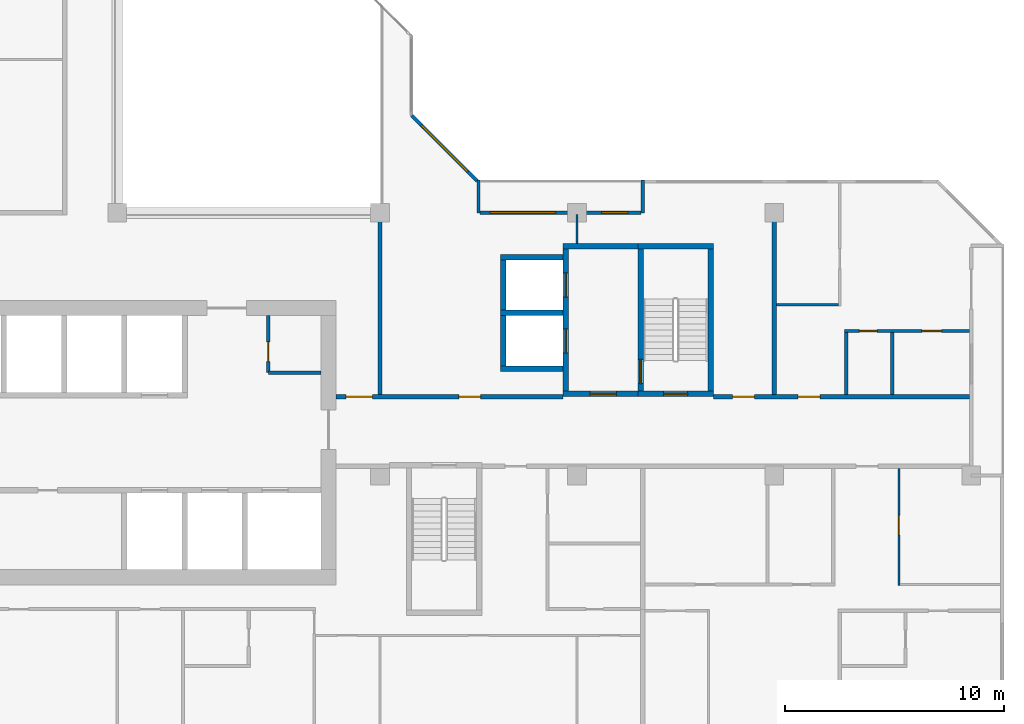
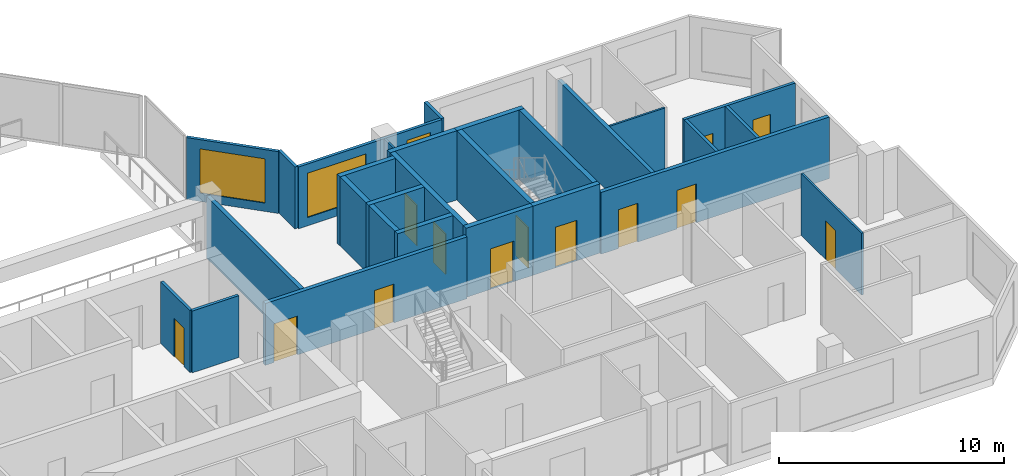
# One storey, part 7 of 15: 28 walls, 13 doors, 3 windows, 16 openings.
"""IFC4 building model written with IfcOpenShell, lengths in metres."""

from ifc_helpers import new_model, si_unit, direction, frame, frame_2d, origin, place, context, subcontext, project, spatial, rectangle, extrude, material, layer, layer_set, type_object, element, fill, save


model = new_model("IFC4")

# Units and contexts
model_context = context("Model", 3, precision=1e-05, world=origin(), true_north=direction((0.0, 1.0)))
body_context = subcontext(model_context, "Body", "Model", "MODEL_VIEW")
ifc_project = project(units=[si_unit("LENGTHUNIT", "METRE"), si_unit("AREAUNIT", "SQUARE_METRE"), si_unit("VOLUMEUNIT", "CUBIC_METRE"), si_unit("PLANEANGLEUNIT", "RADIAN"), si_unit("MASSUNIT", "GRAM", prefix="KILO")], contexts=[model_context])

# Site, building, storey
site_placement = place(None, origin())
site = spatial("IfcSite", under=ifc_project, at=site_placement, CompositionType="ELEMENT")
building_placement = place(site_placement, origin())
building = spatial("IfcBuilding", under=site, at=building_placement, Name="Chenar Terraces", CompositionType="ELEMENT")
storey_placement = place(building_placement, frame((0.0, 0.0, 215.39990234375)))
storey = spatial("IfcBuildingStorey", under=building, at=storey_placement, Name="L50", CompositionType="ELEMENT", Elevation=215.39990234375)

# Wall, opening, door
ifc_material_1 = material(Name="Gypsum board on steel studs", Category="steel")
ifc_layer_1 = layer(ifc_material_1, 0.14990234375)
ifc_layer_set_1 = layer_set([ifc_layer_1], Name="Gypsum board on steel studs")
wall_type_1 = type_object("IfcWallType", Name="Core partition 150 gypsum board", PredefinedType="PARTITIONING", material=ifc_layer_set_1)
wall_1_placement = place(storey_placement, frame((30.89990234375, 16.699951171875, 0.0), z_axis=(0.0, 0.0, 1.0), x_axis=(0.0, 1.0, 0.0)))
wall_1 = element("IfcWall", 1, at=wall_1_placement, inside=storey, type_object=wall_type_1, Name="Core partition CP1 vestibule room west wall", PredefinedType="PARTITIONING", context=body_context, shape_type="SweptSolid", body=[
    extrude(rectangle(XDim=2.60009765625, YDim=0.14990234375, at=frame_2d((1.300048828125, 0.0))), origin(), (0.0, 0.0, 1.0), 3.35009765625),
])
opening_1_placement = place(wall_1_placement, frame((0.5, 0.0, 0.0)))
opening_1 = element("IfcOpeningElement", 2, at=opening_1_placement, cuts=wall_1, Name="Opening DL50-C14", PredefinedType="OPENING", context=body_context, shape_type="SweptSolid", body=[
    extrude(rectangle(XDim=0.89990234375, YDim=2.10009765625, at=frame_2d((0.449951171875, 1.050048828125))), frame((0.0, 0.0849609375, 0.0), z_axis=(0.0, -1.0, 0.0), x_axis=(1.0, 0.0, 0.0)), (0.0, 0.0, 1.0), 0.169921875),
])
ifc_material_2 = material(Name="Steel-framed fire-resisting door leaf", Category="steel")
door_type_1 = type_object("IfcDoorType", Name="Riser fire door FD60 900 x 2100", OperationType="SINGLE_SWING_LEFT", PredefinedType="DOOR", material=ifc_material_2)
door_1_placement = place(opening_1_placement, frame((0.89990234375, 0.0, 0.0), z_axis=(0.0, 0.0, 1.0), x_axis=(-1.0, 0.0, 0.0)))
door_1 = element("IfcDoor", 3, at=door_1_placement, inside=storey, type_object=door_type_1, Name="Core room door DL50-C14", OperationType="SINGLE_SWING_RIGHT", OverallHeight=2.10009765625, OverallWidth=0.89990234375, PredefinedType="DOOR", context=body_context, shape_type="SweptSolid", body=[
    extrude(rectangle(XDim=0.89990234375, YDim=2.10009765625, at=frame_2d((0.449951171875, 1.050048828125))), frame((0.0, 0.02490234375, 0.0), z_axis=(0.0, -1.0, 0.0), x_axis=(1.0, 0.0, 0.0)), (0.0, 0.0, 1.0), 0.050048828125),
])
fill(opening_1, door_1)

# Wall
wall_2_placement = place(storey_placement, frame((30.89990234375, 16.699951171875, 0.0), z_axis=(0.0, 0.0, 1.0), x_axis=(1.0, 0.0, 0.0)))
element("IfcWall", 4, at=wall_2_placement, inside=storey, type_object=wall_type_1, Name="Core partition CP1 vestibule room south wall", PredefinedType="PARTITIONING", context=body_context, shape_type="SweptSolid", body=[
    extrude(rectangle(XDim=2.400146484375, YDim=0.14990234375, at=frame_2d((1.2001953125, 0.0))), origin(), (0.0, 0.0, 1.0), 3.35009765625),
])

# Wall, opening, door
ifc_material_3 = material(Name="Concrete C60/75", Category="concrete")
ifc_layer_2 = layer(ifc_material_3, 0.25)
ifc_layer_set_2 = layer_set([ifc_layer_2], Name="Concrete C60/75")
wall_type_2 = type_object("IfcWallType", Name="Core wall 250 Concrete C60/75", PredefinedType="SHEAR", material=ifc_layer_set_2)
wall_3_placement = place(storey_placement, frame((47.77490234375, 15.72509765625, 0.0), z_axis=(0.0, 0.0, 1.0), x_axis=(1.0, 0.0, 0.0)))
wall_3 = element("IfcWall", 5, at=wall_3_placement, inside=storey, type_object=wall_type_2, Name="Core wall ST3_S L50", PredefinedType="SHEAR", context=body_context, shape_type="SweptSolid", body=[
    extrude(rectangle(XDim=3.4501953125, YDim=0.25, at=frame_2d((1.72509765625, 0.0))), origin(), (0.0, 0.0, 1.0), 3.75),
])
opening_2_placement = place(wall_3_placement, frame((1.175048828125, 0.0, 0.0)))
opening_2 = element("IfcOpeningElement", 6, at=opening_2_placement, cuts=wall_3, Name="Opening DL50-C8", PredefinedType="OPENING", context=body_context, shape_type="SweptSolid", body=[
    extrude(rectangle(XDim=1.10009765625, YDim=2.199951171875, at=frame_2d((0.550048828125, 1.10009765625))), frame((0.0, 0.135009765625, 0.0), z_axis=(0.0, -1.0, 0.0), x_axis=(1.0, 0.0, 0.0)), (0.0, 0.0, 1.0), 0.27001953125),
])
ifc_material_4 = material(Name="Steel-framed fire-resisting door leaf", Category="steel")
door_type_2 = type_object("IfcDoorType", Name="Stair fire door FD60 1100 x 2200", OperationType="SINGLE_SWING_LEFT", PredefinedType="DOOR", material=ifc_material_4)
door_2_placement = place(opening_2_placement, frame((1.10009765625, 0.0, 0.0), z_axis=(0.0, 0.0, 1.0), x_axis=(-1.0, 0.0, 0.0)))
door_2 = element("IfcDoor", 7, at=door_2_placement, inside=storey, type_object=door_type_2, Name="Stair door DL50-C8", OperationType="SINGLE_SWING_LEFT", OverallHeight=2.199951171875, OverallWidth=1.10009765625, PredefinedType="DOOR", context=body_context, shape_type="SweptSolid", body=[
    extrude(rectangle(XDim=1.10009765625, YDim=2.199951171875, at=frame_2d((0.550048828125, 1.10009765625))), frame((0.0, 0.02490234375, 0.0), z_axis=(0.0, -1.0, 0.0), x_axis=(1.0, 0.0, 0.0)), (0.0, 0.0, 1.0), 0.050048828125),
])
fill(opening_2, door_2)

# Wall
wall_4_placement = place(storey_placement, frame((47.77490234375, 22.47509765625, 0.0), z_axis=(0.0, 0.0, 1.0), x_axis=(1.0, 0.0, 0.0)))
element("IfcWall", 8, at=wall_4_placement, inside=storey, type_object=wall_type_2, Name="Core wall ST3_N L50", PredefinedType="SHEAR", context=body_context, shape_type="SweptSolid", body=[
    extrude(rectangle(XDim=3.4501953125, YDim=0.25, at=frame_2d((1.72509765625, 0.0))), origin(), (0.0, 0.0, 1.0), 3.75),
])

# Wall, opening, door
wall_5_placement = place(storey_placement, frame((47.89990234375, 15.85009765625, 0.0), z_axis=(0.0, 0.0, 1.0), x_axis=(0.0, 1.0, 0.0)))
wall_5 = element("IfcWall", 9, at=wall_5_placement, inside=storey, type_object=wall_type_2, Name="Core wall ST3_W L50", PredefinedType="SHEAR", context=body_context, shape_type="SweptSolid", body=[
    extrude(rectangle(XDim=6.5, YDim=0.25, at=frame_2d((3.25, 0.0))), origin(), (0.0, 0.0, 1.0), 3.75),
])
opening_3_placement = place(wall_5_placement, frame((0.35009765625, 0.0, 0.0)))
opening_3 = element("IfcOpeningElement", 10, at=opening_3_placement, cuts=wall_5, Name="Opening DL50-C11", PredefinedType="OPENING", context=body_context, shape_type="SweptSolid", body=[
    extrude(rectangle(XDim=1.10009765625, YDim=2.199951171875, at=frame_2d((0.550048828125, 1.10009765625))), frame((0.0, 0.135009765625, 0.0), z_axis=(0.0, -1.0, 0.0), x_axis=(1.0, 0.0, 0.0)), (0.0, 0.0, 1.0), 0.27001953125),
])
door_3_placement = place(opening_3_placement, frame((1.10009765625, 0.0, 0.0), z_axis=(0.0, 0.0, 1.0), x_axis=(-1.0, 0.0, 0.0)))
door_3 = element("IfcDoor", 11, at=door_3_placement, inside=storey, type_object=door_type_2, Name="Stair door DL50-C11", OperationType="SINGLE_SWING_RIGHT", OverallHeight=2.199951171875, OverallWidth=1.10009765625, PredefinedType="DOOR", context=body_context, shape_type="SweptSolid", body=[
    extrude(rectangle(XDim=1.10009765625, YDim=2.199951171875, at=frame_2d((0.550048828125, 1.10009765625))), frame((0.0, 0.02490234375, 0.0), z_axis=(0.0, -1.0, 0.0), x_axis=(1.0, 0.0, 0.0)), (0.0, 0.0, 1.0), 0.050048828125),
])
fill(opening_3, door_3)

# Wall
wall_6_placement = place(storey_placement, frame((51.10009765625, 15.85009765625, 0.0), z_axis=(0.0, 0.0, 1.0), x_axis=(0.0, 1.0, 0.0)))
element("IfcWall", 12, at=wall_6_placement, inside=storey, type_object=wall_type_2, Name="Core wall ST3_E L50", PredefinedType="SHEAR", context=body_context, shape_type="SweptSolid", body=[
    extrude(rectangle(XDim=6.5, YDim=0.25, at=frame_2d((3.25, 0.0))), origin(), (0.0, 0.0, 1.0), 3.75),
])

# Wall, opening, door
wall_7_placement = place(storey_placement, frame((44.35009765625, 15.72509765625, 0.0), z_axis=(0.0, 0.0, 1.0), x_axis=(1.0, 0.0, 0.0)))
wall_7 = element("IfcWall", 13, at=wall_7_placement, inside=storey, type_object=wall_type_2, Name="Core wall F3_LS L50", PredefinedType="SHEAR", context=body_context, shape_type="SweptSolid", body=[
    extrude(rectangle(XDim=3.4248046875, YDim=0.25, at=frame_2d((1.71240234375, 0.0))), origin(), (0.0, 0.0, 1.0), 3.75),
])
opening_4_placement = place(wall_7_placement, frame((1.25, 0.0, 0.0)))
opening_4 = element("IfcOpeningElement", 14, at=opening_4_placement, cuts=wall_7, Name="Opening DL50-C10", PredefinedType="OPENING", context=body_context, shape_type="SweptSolid", body=[
    extrude(rectangle(XDim=1.199951171875, YDim=2.199951171875, at=frame_2d((0.60009765625, 1.10009765625))), frame((0.0, 0.135009765625, 0.0), z_axis=(0.0, -1.0, 0.0), x_axis=(1.0, 0.0, 0.0)), (0.0, 0.0, 1.0), 0.27001953125),
])
ifc_material_5 = material(Name="Steel-framed fire-resisting door leaf", Category="steel")
door_type_3 = type_object("IfcDoorType", Name="Lobby fire door FD60 1200 x 2200", OperationType="SINGLE_SWING_LEFT", PredefinedType="DOOR", material=ifc_material_5)
door_4_placement = place(opening_4_placement, origin())
door_4 = element("IfcDoor", 15, at=door_4_placement, inside=storey, type_object=door_type_3, Name="Core door DL50-C10", OperationType="SINGLE_SWING_RIGHT", OverallHeight=2.199951171875, OverallWidth=1.199951171875, PredefinedType="DOOR", context=body_context, shape_type="SweptSolid", body=[
    extrude(rectangle(XDim=1.199951171875, YDim=2.199951171875, at=frame_2d((0.60009765625, 1.10009765625))), frame((0.0, 0.02490234375, 0.0), z_axis=(0.0, -1.0, 0.0), x_axis=(1.0, 0.0, 0.0)), (0.0, 0.0, 1.0), 0.050048828125),
])
fill(opening_4, door_4)

# Wall
wall_8_placement = place(storey_placement, frame((44.35009765625, 22.47509765625, 0.0), z_axis=(0.0, 0.0, 1.0), x_axis=(1.0, 0.0, 0.0)))
element("IfcWall", 16, at=wall_8_placement, inside=storey, type_object=wall_type_2, Name="Core wall F3_LN L50", PredefinedType="SHEAR", context=body_context, shape_type="SweptSolid", body=[
    extrude(rectangle(XDim=3.4248046875, YDim=0.25, at=frame_2d((1.71240234375, 0.0))), origin(), (0.0, 0.0, 1.0), 3.75),
])

# Wall, openings, doors
wall_9_placement = place(storey_placement, frame((44.47509765625, 15.85009765625, 0.0), z_axis=(0.0, 0.0, 1.0), x_axis=(0.0, 1.0, 0.0)))
wall_9 = element("IfcWall", 17, at=wall_9_placement, inside=storey, type_object=wall_type_2, Name="Core wall F3_LW L50", PredefinedType="SHEAR", context=body_context, shape_type="SweptSolid", body=[
    extrude(rectangle(XDim=6.5, YDim=0.25, at=frame_2d((3.25, 0.0))), origin(), (0.0, 0.0, 1.0), 3.75),
])
opening_5_placement = place(wall_9_placement, frame((1.75, 0.0, 0.0)))
opening_5 = element("IfcOpeningElement", 18, at=opening_5_placement, cuts=wall_9, Name="Opening DL50-LD8", PredefinedType="OPENING", context=body_context, shape_type="SweptSolid", body=[
    extrude(rectangle(XDim=1.10009765625, YDim=2.199951171875, at=frame_2d((0.550048828125, 1.10009765625))), frame((0.0, 0.135009765625, 0.0), z_axis=(0.0, -1.0, 0.0), x_axis=(1.0, 0.0, 0.0)), (0.0, 0.0, 1.0), 0.27001953125),
])
opening_6_placement = place(wall_9_placement, frame((4.300048828125, 0.0, 0.0)))
opening_6 = element("IfcOpeningElement", 19, at=opening_6_placement, cuts=wall_9, Name="Opening DL50-LD9", PredefinedType="OPENING", context=body_context, shape_type="SweptSolid", body=[
    extrude(rectangle(XDim=1.10009765625, YDim=2.199951171875, at=frame_2d((0.550048828125, 1.10009765625))), frame((0.0, 0.135009765625, 0.0), z_axis=(0.0, -1.0, 0.0), x_axis=(1.0, 0.0, 0.0)), (0.0, 0.0, 1.0), 0.27001953125),
])
ifc_material_6 = material(Name="Stainless steel", Category="steel")
door_type_4 = type_object("IfcDoorType", Name="Lift landing door 1100 x 2200 sliding", OperationType="DOUBLE_DOOR_SLIDING", PredefinedType="DOOR", material=ifc_material_6)
door_5_placement = place(opening_5_placement, origin())
door_5 = element("IfcDoor", 20, at=door_5_placement, inside=storey, type_object=door_type_4, Name="Landing door F3", OperationType="DOUBLE_DOOR_SLIDING", OverallHeight=2.199951171875, OverallWidth=1.10009765625, PredefinedType="DOOR", context=body_context, shape_type="SweptSolid", body=[
    extrude(rectangle(XDim=1.10009765625, YDim=2.199951171875, at=frame_2d((0.550048828125, 1.10009765625))), frame((0.0, 0.02490234375, 0.0), z_axis=(0.0, -1.0, 0.0), x_axis=(1.0, 0.0, 0.0)), (0.0, 0.0, 1.0), 0.050048828125),
])
fill(opening_5, door_5)
door_6_placement = place(opening_6_placement, origin())
door_6 = element("IfcDoor", 21, at=door_6_placement, inside=storey, type_object=door_type_4, Name="Landing door F4", OperationType="DOUBLE_DOOR_SLIDING", OverallHeight=2.199951171875, OverallWidth=1.10009765625, PredefinedType="DOOR", context=body_context, shape_type="SweptSolid", body=[
    extrude(rectangle(XDim=1.10009765625, YDim=2.199951171875, at=frame_2d((0.550048828125, 1.10009765625))), frame((0.0, 0.02490234375, 0.0), z_axis=(0.0, -1.0, 0.0), x_axis=(1.0, 0.0, 0.0)), (0.0, 0.0, 1.0), 0.050048828125),
])
fill(opening_6, door_6)

# Walls
for number, where, z_axis, x_axis, name in (
    (22, (41.5, 16.875, 0.0), (0.0, 0.0, 1.0), (1.0, 0.0, 0.0), "Core wall F3_SS L50"),
    (23, (41.5, 19.425048828125, 0.0), (0.0, 0.0, 1.0), (1.0, 0.0, 0.0), "Core wall F3_SM L50"),
    (24, (41.5, 21.97509765625, 0.0), (0.0, 0.0, 1.0), (1.0, 0.0, 0.0), "Core wall F4_SN L50"),
):
    element("IfcWall", number, at=place(storey_placement, frame(where, z_axis=z_axis, x_axis=x_axis)), inside=storey, type_object=wall_type_2, Name=name, PredefinedType="SHEAR", context=body_context, shape_type="SweptSolid", body=[
        extrude(rectangle(XDim=2.85009765625, YDim=0.25, at=frame_2d((1.425048828125, 0.0))), origin(), (0.0, 0.0, 1.0), 3.75),
    ])
for number, where, z_axis, x_axis, name in (
    (25, (41.625, 17.0, 0.0), (0.0, 0.0, 1.0), (0.0, 1.0, 0.0), "Core wall F3_SW L50"),
    (26, (41.625, 19.550048828125, 0.0), (0.0, 0.0, 1.0), (0.0, 1.0, 0.0), "Core wall F4_SW L50"),
):
    element("IfcWall", number, at=place(storey_placement, frame(where, z_axis=z_axis, x_axis=x_axis)), inside=storey, type_object=wall_type_2, Name=name, PredefinedType="SHEAR", context=body_context, shape_type="SweptSolid", body=[
        extrude(rectangle(XDim=2.300048828125, YDim=0.25, at=frame_2d((1.14990234375, 0.0))), origin(), (0.0, 0.0, 1.0), 3.75),
    ])

# Wall, openings, doors
ifc_material_7 = material(Name="Gypsum board on steel studs with fire boards", Category="steel")
ifc_layer_3 = layer(ifc_material_7, 0.199951171875)
ifc_layer_set_3 = layer_set([ifc_layer_3], Name="Gypsum board on steel studs with fire boards")
wall_type_3 = type_object("IfcWallType", Name="Corridor wall 200", PredefinedType="PARTITIONING", material=ifc_layer_set_3)
wall_10_placement = place(storey_placement, frame((34.0, 15.60009765625, 0.0), z_axis=(0.0, 0.0, 1.0), x_axis=(1.0, 0.0, 0.0)))
wall_10 = element("IfcWall", 27, at=wall_10_placement, inside=storey, type_object=wall_type_3, Name="Partition L50-060", PredefinedType="PARTITIONING", context=body_context, shape_type="SweptSolid", body=[
    extrude(rectangle(XDim=10.35009765625, YDim=0.199951171875, at=frame_2d((5.175048828125, 0.0))), origin(), (0.0, 0.0, 1.0), 3.35009765625),
])
opening_7_placement = place(wall_10_placement, frame((5.60009765625, 0.0, 0.0)))
opening_7 = element("IfcOpeningElement", 28, at=opening_7_placement, cuts=wall_10, Name="Opening DL50-3", PredefinedType="OPENING", context=body_context, shape_type="SweptSolid", body=[
    extrude(rectangle(XDim=1.0, YDim=2.10009765625, at=frame_2d((0.5, 1.050048828125))), frame((0.0, 0.10986328125, 0.0), z_axis=(0.0, -1.0, 0.0), x_axis=(1.0, 0.0, 0.0)), (0.0, 0.0, 1.0), 0.219970703125),
])
opening_8_placement = place(wall_10_placement, frame((0.449951171875, 0.0, 0.0)))
opening_8 = element("IfcOpeningElement", 29, at=opening_8_placement, cuts=wall_10, Name="Opening DL50-38", PredefinedType="OPENING", context=body_context, shape_type="SweptSolid", body=[
    extrude(rectangle(XDim=1.199951171875, YDim=2.10009765625, at=frame_2d((0.60009765625, 1.050048828125))), frame((0.0, 0.10986328125, 0.0), z_axis=(0.0, -1.0, 0.0), x_axis=(1.0, 0.0, 0.0)), (0.0, 0.0, 1.0), 0.219970703125),
])
ifc_material_8 = material(Name="Steel-framed fire-resisting door leaf", Category="steel")
door_type_5 = type_object("IfcDoorType", Name="Fire door FD60 1000 x 2100", OperationType="SINGLE_SWING_LEFT", PredefinedType="DOOR", material=ifc_material_8)
door_7_placement = place(opening_7_placement, origin())
door_7 = element("IfcDoor", 30, at=door_7_placement, inside=storey, type_object=door_type_5, Name="Door DL50-3", OperationType="SINGLE_SWING_RIGHT", OverallHeight=2.10009765625, OverallWidth=1.0, PredefinedType="DOOR", context=body_context, shape_type="SweptSolid", body=[
    extrude(rectangle(XDim=1.0, YDim=2.10009765625, at=frame_2d((0.5, 1.050048828125))), frame((0.0, 0.02490234375, 0.0), z_axis=(0.0, -1.0, 0.0), x_axis=(1.0, 0.0, 0.0)), (0.0, 0.0, 1.0), 0.050048828125),
])
fill(opening_7, door_7)
ifc_material_9 = material(Name="Steel-framed fire-resisting door leaf", Category="steel")
door_type_6 = type_object("IfcDoorType", Name="Fire door FD60 1200 x 2100", OperationType="SINGLE_SWING_LEFT", PredefinedType="DOOR", material=ifc_material_9)
door_8_placement = place(opening_8_placement, origin())
door_8 = element("IfcDoor", 31, at=door_8_placement, inside=storey, type_object=door_type_6, Name="Door DL50-38", OperationType="SINGLE_SWING_RIGHT", OverallHeight=2.10009765625, OverallWidth=1.199951171875, PredefinedType="DOOR", context=body_context, shape_type="SweptSolid", body=[
    extrude(rectangle(XDim=1.199951171875, YDim=2.10009765625, at=frame_2d((0.60009765625, 1.050048828125))), frame((0.0, 0.02490234375, 0.0), z_axis=(0.0, -1.0, 0.0), x_axis=(1.0, 0.0, 0.0)), (0.0, 0.0, 1.0), 0.050048828125),
])
fill(opening_8, door_8)

# Wall
wall_11_placement = place(storey_placement, frame((36.0, 15.699951171875, 0.0), z_axis=(0.0, 0.0, 1.0), x_axis=(0.0, 1.0, 0.0)))
element("IfcWall", 32, at=wall_11_placement, inside=storey, type_object=wall_type_3, Name="Partition L50-062", PredefinedType="PARTITIONING", context=body_context, shape_type="SweptSolid", body=[
    extrude(rectangle(XDim=8.300048828125, YDim=0.199951171875, at=frame_2d((4.14990234375, 0.0))), origin(), (0.0, 0.0, 1.0), 3.35009765625),
])

# Wall, openings, doors
wall_12_placement = place(storey_placement, frame((51.22509765625, 15.60009765625, 0.0), z_axis=(0.0, 0.0, 1.0), x_axis=(1.0, 0.0, 0.0)))
wall_12 = element("IfcWall", 33, at=wall_12_placement, inside=storey, type_object=wall_type_3, Name="Partition L50-074", PredefinedType="PARTITIONING", context=body_context, shape_type="SweptSolid", body=[
    extrude(rectangle(XDim=11.700927734375, YDim=0.199951171875, at=frame_2d((5.8505859375, 0.0))), origin(), (0.0, 0.0, 1.0), 3.35009765625),
])
opening_9_placement = place(wall_12_placement, frame((3.875, 0.0, 0.0)))
opening_9 = element("IfcOpeningElement", 34, at=opening_9_placement, cuts=wall_12, Name="Opening DL50-7", PredefinedType="OPENING", context=body_context, shape_type="SweptSolid", body=[
    extrude(rectangle(XDim=1.0, YDim=2.10009765625, at=frame_2d((0.5, 1.050048828125))), frame((0.0, 0.10986328125, 0.0), z_axis=(0.0, -1.0, 0.0), x_axis=(1.0, 0.0, 0.0)), (0.0, 0.0, 1.0), 0.219970703125),
])
opening_10_placement = place(wall_12_placement, frame((0.875, 0.0, 0.0)))
opening_10 = element("IfcOpeningElement", 35, at=opening_10_placement, cuts=wall_12, Name="Opening DL50-42", PredefinedType="OPENING", context=body_context, shape_type="SweptSolid", body=[
    extrude(rectangle(XDim=1.0, YDim=2.10009765625, at=frame_2d((0.5, 1.050048828125))), frame((0.0, 0.10986328125, 0.0), z_axis=(0.0, -1.0, 0.0), x_axis=(1.0, 0.0, 0.0)), (0.0, 0.0, 1.0), 0.219970703125),
])
ifc_material_10 = material(Name="Steel-framed fire-resisting door leaf", Category="steel")
door_type_7 = type_object("IfcDoorType", Name="Fire door FD30S 1000 x 2100", OperationType="SINGLE_SWING_LEFT", PredefinedType="DOOR", material=ifc_material_10)
door_9_placement = place(opening_9_placement, origin())
door_9 = element("IfcDoor", 36, at=door_9_placement, inside=storey, type_object=door_type_7, Name="Door DL50-7", OperationType="SINGLE_SWING_LEFT", OverallHeight=2.10009765625, OverallWidth=1.0, PredefinedType="DOOR", context=body_context, shape_type="SweptSolid", body=[
    extrude(rectangle(XDim=1.0, YDim=2.10009765625, at=frame_2d((0.5, 1.050048828125))), frame((0.0, 0.02490234375, 0.0), z_axis=(0.0, -1.0, 0.0), x_axis=(1.0, 0.0, 0.0)), (0.0, 0.0, 1.0), 0.050048828125),
])
fill(opening_9, door_9)
door_10_placement = place(opening_10_placement, origin())
door_10 = element("IfcDoor", 37, at=door_10_placement, inside=storey, type_object=door_type_7, Name="Door DL50-42", OperationType="SINGLE_SWING_RIGHT", OverallHeight=2.10009765625, OverallWidth=1.0, PredefinedType="DOOR", context=body_context, shape_type="SweptSolid", body=[
    extrude(rectangle(XDim=1.0, YDim=2.10009765625, at=frame_2d((0.5, 1.050048828125))), frame((0.0, 0.02490234375, 0.0), z_axis=(0.0, -1.0, 0.0), x_axis=(1.0, 0.0, 0.0)), (0.0, 0.0, 1.0), 0.050048828125),
])
fill(opening_10, door_10)

# Wall, openings, windows
ifc_material_11 = material(Name="Aluminium framed glazing", Category="aluminium")
ifc_layer_4 = layer(ifc_material_11, 0.14990234375)
ifc_layer_set_4 = layer_set([ifc_layer_4], Name="Aluminium framed glazing")
wall_type_4 = type_object("IfcWallType", Name="Glazed loggia back wall 150", PredefinedType="SOLIDWALL", material=ifc_layer_set_4)
wall_13_placement = place(storey_placement, frame((47.925048828125, 24.0, 0.0), z_axis=(0.0, 0.0, 1.0), x_axis=(-1.0, 0.0, 0.0)))
wall_13 = element("IfcWall", 38, at=wall_13_placement, inside=storey, type_object=wall_type_4, Name="Glazed loggia back wall", PredefinedType="SOLIDWALL", context=body_context, shape_type="SweptSolid", body=[
    extrude(rectangle(XDim=7.35009765625, YDim=0.14990234375, at=frame_2d((3.675048828125, 0.0))), origin(), (0.0, 0.0, 1.0), 3.35009765625),
])
opening_11_placement = place(wall_13_placement, frame((0.60009765625, 0.0, 0.449951171875)))
opening_11 = element("IfcOpeningElement", 39, at=opening_11_placement, cuts=wall_13, Name="Opening W120x240", PredefinedType="OPENING", context=body_context, shape_type="SweptSolid", body=[
    extrude(rectangle(XDim=1.199951171875, YDim=2.39990234375, at=frame_2d((0.60009765625, 1.199951171875))), frame((0.0, 0.0849609375, 0.0), z_axis=(0.0, -1.0, 0.0), x_axis=(1.0, 0.0, 0.0)), (0.0, 0.0, 1.0), 0.169921875),
])
opening_12_placement = place(wall_13_placement, frame((3.89990234375, 0.0, 0.449951171875)))
opening_12 = element("IfcOpeningElement", 40, at=opening_12_placement, cuts=wall_13, Name="Opening W300x240", PredefinedType="OPENING", context=body_context, shape_type="SweptSolid", body=[
    extrude(rectangle(XDim=3.0, YDim=2.39990234375, at=frame_2d((1.5, 1.199951171875))), frame((0.0, 0.0849609375, 0.0), z_axis=(0.0, -1.0, 0.0), x_axis=(1.0, 0.0, 0.0)), (0.0, 0.0, 1.0), 0.169921875),
])
ifc_material_12 = material(Name="Low emissivity double glazing, aluminium frame", Category="aluminium")
window_type_1 = type_object("IfcWindowType", Name="Fixed light 1200 x 2400", PartitioningType="SINGLE_PANEL", PredefinedType="WINDOW", material=ifc_material_12)
window_1_placement = place(opening_11_placement, origin())
window_1 = element("IfcWindow", 41, at=window_1_placement, inside=storey, type_object=window_type_1, Name="Window", OverallHeight=2.39990234375, OverallWidth=1.199951171875, PartitioningType="SINGLE_PANEL", PredefinedType="WINDOW", context=body_context, shape_type="SweptSolid", body=[
    extrude(rectangle(XDim=1.199951171875, YDim=2.39990234375, at=frame_2d((0.60009765625, 1.199951171875))), frame((0.0, 0.030029296875, 0.0), z_axis=(0.0, -1.0, 0.0), x_axis=(1.0, 0.0, 0.0)), (0.0, 0.0, 1.0), 0.06005859375),
])
fill(opening_11, window_1)
ifc_material_13 = material(Name="Low emissivity double glazing, aluminium frame", Category="aluminium")
window_type_2 = type_object("IfcWindowType", Name="Fixed light 3000 x 2400", PartitioningType="SINGLE_PANEL", PredefinedType="WINDOW", material=ifc_material_13)
window_2_placement = place(opening_12_placement, origin())
window_2 = element("IfcWindow", 42, at=window_2_placement, inside=storey, type_object=window_type_2, Name="Window", OverallHeight=2.39990234375, OverallWidth=3.0, PartitioningType="SINGLE_PANEL", PredefinedType="WINDOW", context=body_context, shape_type="SweptSolid", body=[
    extrude(rectangle(XDim=3.0, YDim=2.39990234375, at=frame_2d((1.5, 1.199951171875))), frame((0.0, 0.030029296875, 0.0), z_axis=(0.0, -1.0, 0.0), x_axis=(1.0, 0.0, 0.0)), (0.0, 0.0, 1.0), 0.06005859375),
])
fill(opening_12, window_2)

# Walls
ifc_material_14 = material(Name="Gypsum board on steel studs", Category="steel")
ifc_layer_5 = layer(ifc_material_14, 0.10009765625)
ifc_layer_set_5 = layer_set([ifc_layer_5], Name="Gypsum board on steel studs")
wall_type_5 = type_object("IfcWallType", Name="Gypsum partition 100", PredefinedType="PARTITIONING", material=ifc_layer_set_5)
wall_14_placement = place(storey_placement, frame((45.0, 22.60009765625, 0.0), z_axis=(0.0, 0.0, 1.0), x_axis=(0.0, 1.0, 0.0)))
element("IfcWall", 43, at=wall_14_placement, inside=storey, type_object=wall_type_5, Name="Partition L50-068", PredefinedType="PARTITIONING", context=body_context, shape_type="SweptSolid", body=[
    extrude(rectangle(XDim=1.325927734375, YDim=0.10009765625, at=frame_2d((0.6630859375, 0.0))), origin(), (0.0, 0.0, 1.0), 3.35009765625),
])
wall_15_placement = place(storey_placement, frame((54.10009765625, 19.800048828125, 0.0), z_axis=(0.0, 0.0, 1.0), x_axis=(1.0, 0.0, 0.0)))
element("IfcWall", 44, at=wall_15_placement, inside=storey, type_object=wall_type_5, Name="Partition L50-077", PredefinedType="PARTITIONING", context=body_context, shape_type="SweptSolid", body=[
    extrude(rectangle(XDim=2.849853515625, YDim=0.10009765625, at=frame_2d((1.4248046875, 0.0))), origin(), (0.0, 0.0, 1.0), 3.35009765625),
])

# Wall, opening, door
wall_16_placement = place(storey_placement, frame((59.699951171875, 6.97509765625, 0.0), z_axis=(0.0, 0.0, 1.0), x_axis=(0.0, 1.0, 0.0)))
wall_16 = element("IfcWall", 45, at=wall_16_placement, inside=storey, type_object=wall_type_5, Name="Partition L50-086", PredefinedType="PARTITIONING", context=body_context, shape_type="SweptSolid", body=[
    extrude(rectangle(XDim=5.349853515625, YDim=0.10009765625, at=frame_2d((2.6748046875, 0.0))), origin(), (0.0, 0.0, 1.0), 3.35009765625),
])
opening_13_placement = place(wall_16_placement, frame((2.300048828125, 0.0, 0.0)))
opening_13 = element("IfcOpeningElement", 46, at=opening_13_placement, cuts=wall_16, Name="Opening DL50-14", PredefinedType="OPENING", context=body_context, shape_type="SweptSolid", body=[
    extrude(rectangle(XDim=0.89990234375, YDim=2.10009765625, at=frame_2d((0.449951171875, 1.050048828125))), frame((0.0, 0.06005859375, 0.0), z_axis=(0.0, -1.0, 0.0), x_axis=(1.0, 0.0, 0.0)), (0.0, 0.0, 1.0), 0.1201171875),
])
ifc_material_15 = material(Name="Veneered timber door leaf", Category="wood")
door_type_8 = type_object("IfcDoorType", Name="Door 900 x 2100", OperationType="SINGLE_SWING_LEFT", PredefinedType="DOOR", material=ifc_material_15)
door_11_placement = place(opening_13_placement, frame((0.89990234375, 0.0, 0.0), z_axis=(0.0, 0.0, 1.0), x_axis=(-1.0, 0.0, 0.0)))
door_11 = element("IfcDoor", 47, at=door_11_placement, inside=storey, type_object=door_type_8, Name="Door DL50-14", OperationType="SINGLE_SWING_RIGHT", OverallHeight=2.10009765625, OverallWidth=0.89990234375, PredefinedType="DOOR", context=body_context, shape_type="SweptSolid", body=[
    extrude(rectangle(XDim=0.89990234375, YDim=2.10009765625, at=frame_2d((0.449951171875, 1.050048828125))), frame((0.0, 0.02490234375, 0.0), z_axis=(0.0, -1.0, 0.0), x_axis=(1.0, 0.0, 0.0)), (0.0, 0.0, 1.0), 0.050048828125),
])
fill(opening_13, door_11)

# Walls
ifc_material_16 = material(Name="Terracotta cladding on insulated backing", Category="masonry")
ifc_layer_6 = layer(ifc_material_16, 0.14990234375)
ifc_layer_set_6 = layer_set([ifc_layer_6], Name="Terracotta cladding on insulated backing")
wall_type_6 = type_object("IfcWallType", Name="Loggia return wall 150", PredefinedType="SOLIDWALL", material=ifc_layer_set_6)
for number, where, z_axis, x_axis, name in (
    (48, (48.0, 25.5, 0.0), (0.0, 0.0, 1.0), (0.0, -1.0, 0.0), "Loggia return wall"),
    (49, (40.5, 25.5, 0.0), (0.0, 0.0, 1.0), (0.0, -1.0, 0.0), "Loggia return wall"),
):
    element("IfcWall", number, at=place(storey_placement, frame(where, z_axis=z_axis, x_axis=x_axis)), inside=storey, type_object=wall_type_6, Name=name, PredefinedType="SOLIDWALL", context=body_context, shape_type="SweptSolid", body=[
        extrude(rectangle(XDim=1.5, YDim=0.14990234375, at=frame_2d((0.75, 0.0))), origin(), (0.0, 0.0, 1.0), 3.35009765625),
    ])

# Wall, opening, window
ifc_material_17 = material(Name="Terracotta cladding on insulated backing", Category="masonry")
ifc_layer_7 = layer(ifc_material_17, 0.14990234375)
ifc_layer_set_7 = layer_set([ifc_layer_7], Name="Terracotta cladding on insulated backing")
wall_type_7 = type_object("IfcWallType", Name="Terracotta rainscreen wall 150", PredefinedType="SOLIDWALL", material=ifc_layer_set_7)
wall_17_placement = place(storey_placement, frame((40.447021484375, 25.447021484375, 0.0), z_axis=(0.0, 0.0, 1.0), x_axis=(-0.707106781187, 0.707106781187, 0.0)))
wall_17 = element("IfcWall", 50, at=wall_17_placement, inside=storey, type_object=wall_type_7, Name="Terracotta rainscreen wall", PredefinedType="SOLIDWALL", context=body_context, shape_type="SweptSolid", body=[
    extrude(rectangle(XDim=4.24267578125, YDim=0.14990234375, at=frame_2d((2.121337890625, 0.0))), origin(), (0.0, 0.0, 1.0), 3.35009765625),
])
opening_14_placement = place(wall_17_placement, frame((0.621337890625, 0.0, 0.449951171875)))
opening_14 = element("IfcOpeningElement", 51, at=opening_14_placement, cuts=wall_17, Name="Opening W300x240", PredefinedType="OPENING", context=body_context, shape_type="SweptSolid", body=[
    extrude(rectangle(XDim=3.0, YDim=2.39990234375, at=frame_2d((1.5, 1.199951171875))), frame((0.0, 0.0849609375, 0.0), z_axis=(0.0, -1.0, 0.0), x_axis=(1.0, 0.0, 0.0)), (0.0, 0.0, 1.0), 0.169921875),
])
window_3_placement = place(opening_14_placement, origin())
window_3 = element("IfcWindow", 52, at=window_3_placement, inside=storey, type_object=window_type_2, Name="Window", OverallHeight=2.39990234375, OverallWidth=3.0, PartitioningType="SINGLE_PANEL", PredefinedType="WINDOW", context=body_context, shape_type="SweptSolid", body=[
    extrude(rectangle(XDim=3.0, YDim=2.39990234375, at=frame_2d((1.5, 1.199951171875))), frame((0.0, 0.030029296875, 0.0), z_axis=(0.0, -1.0, 0.0), x_axis=(1.0, 0.0, 0.0)), (0.0, 0.0, 1.0), 0.06005859375),
])
fill(opening_14, window_3)

# Wall
ifc_material_18 = material(Name="Twin gypsum board on steel studs with mineral wool", Category="steel")
ifc_layer_8 = layer(ifc_material_18, 0.199951171875)
ifc_layer_set_8 = layer_set([ifc_layer_8], Name="Twin gypsum board on steel studs with mineral wool")
wall_type_8 = type_object("IfcWallType", Name="Unit demising wall 200", PredefinedType="PARTITIONING", material=ifc_layer_set_8)
wall_18_placement = place(storey_placement, frame((54.0, 15.699951171875, 0.0), z_axis=(0.0, 0.0, 1.0), x_axis=(0.0, 1.0, 0.0)))
element("IfcWall", 53, at=wall_18_placement, inside=storey, type_object=wall_type_8, Name="Partition L50-076", PredefinedType="PARTITIONING", context=body_context, shape_type="SweptSolid", body=[
    extrude(rectangle(XDim=8.300048828125, YDim=0.199951171875, at=frame_2d((4.14990234375, 0.0))), origin(), (0.0, 0.0, 1.0), 3.35009765625),
])

# Wall, openings, doors
ifc_material_19 = material(Name="Moisture-resistant gypsum board on steel studs", Category="steel")
ifc_layer_9 = layer(ifc_material_19, 0.14990234375)
ifc_layer_set_9 = layer_set([ifc_layer_9], Name="Moisture-resistant gypsum board on steel studs")
wall_type_9 = type_object("IfcWallType", Name="Wet-room partition 150", PredefinedType="PARTITIONING", material=ifc_layer_set_9)
wall_19_placement = place(storey_placement, frame((57.22509765625, 18.60009765625, 0.0), z_axis=(0.0, 0.0, 1.0), x_axis=(1.0, 0.0, 0.0)))
wall_19 = element("IfcWall", 54, at=wall_19_placement, inside=storey, type_object=wall_type_9, Name="Partition L50-083", PredefinedType="PARTITIONING", context=body_context, shape_type="SweptSolid", body=[
    extrude(rectangle(XDim=5.700927734375, YDim=0.14990234375, at=frame_2d((2.8505859375, 0.0))), origin(), (0.0, 0.0, 1.0), 3.35009765625),
])
opening_15_placement = place(wall_19_placement, frame((0.675048828125, 0.0, 0.0)))
opening_15 = element("IfcOpeningElement", 55, at=opening_15_placement, cuts=wall_19, Name="Opening DL50-4", PredefinedType="OPENING", context=body_context, shape_type="SweptSolid", body=[
    extrude(rectangle(XDim=0.800048828125, YDim=2.10009765625, at=frame_2d((0.39990234375, 1.050048828125))), frame((0.0, 0.0849609375, 0.0), z_axis=(0.0, -1.0, 0.0), x_axis=(1.0, 0.0, 0.0)), (0.0, 0.0, 1.0), 0.169921875),
])
opening_16_placement = place(wall_19_placement, frame((3.52490234375, 0.0, 0.0)))
opening_16 = element("IfcOpeningElement", 56, at=opening_16_placement, cuts=wall_19, Name="Opening DL50-6", PredefinedType="OPENING", context=body_context, shape_type="SweptSolid", body=[
    extrude(rectangle(XDim=0.89990234375, YDim=2.10009765625, at=frame_2d((0.449951171875, 1.050048828125))), frame((0.0, 0.0849609375, 0.0), z_axis=(0.0, -1.0, 0.0), x_axis=(1.0, 0.0, 0.0)), (0.0, 0.0, 1.0), 0.169921875),
])
ifc_material_20 = material(Name="Veneered timber door leaf", Category="wood")
door_type_9 = type_object("IfcDoorType", Name="Door 800 x 2100", OperationType="SINGLE_SWING_LEFT", PredefinedType="DOOR", material=ifc_material_20)
door_12_placement = place(opening_15_placement, frame((0.800048828125, 0.0, 0.0), z_axis=(0.0, 0.0, 1.0), x_axis=(-1.0, 0.0, 0.0)))
door_12 = element("IfcDoor", 57, at=door_12_placement, inside=storey, type_object=door_type_9, Name="Door DL50-4", OperationType="SINGLE_SWING_RIGHT", OverallHeight=2.10009765625, OverallWidth=0.800048828125, PredefinedType="DOOR", context=body_context, shape_type="SweptSolid", body=[
    extrude(rectangle(XDim=0.800048828125, YDim=2.10009765625, at=frame_2d((0.39990234375, 1.050048828125))), frame((0.0, 0.02490234375, 0.0), z_axis=(0.0, -1.0, 0.0), x_axis=(1.0, 0.0, 0.0)), (0.0, 0.0, 1.0), 0.050048828125),
])
fill(opening_15, door_12)
door_13_placement = place(opening_16_placement, frame((0.89990234375, 0.0, 0.0), z_axis=(0.0, 0.0, 1.0), x_axis=(-1.0, 0.0, 0.0)))
door_13 = element("IfcDoor", 58, at=door_13_placement, inside=storey, type_object=door_type_8, Name="Door DL50-6", OperationType="SINGLE_SWING_RIGHT", OverallHeight=2.10009765625, OverallWidth=0.89990234375, PredefinedType="DOOR", context=body_context, shape_type="SweptSolid", body=[
    extrude(rectangle(XDim=0.89990234375, YDim=2.10009765625, at=frame_2d((0.449951171875, 1.050048828125))), frame((0.0, 0.02490234375, 0.0), z_axis=(0.0, -1.0, 0.0), x_axis=(1.0, 0.0, 0.0)), (0.0, 0.0, 1.0), 0.050048828125),
])
fill(opening_16, door_13)

# Walls
for number, where, z_axis, x_axis, name in (
    (59, (57.300048828125, 15.699951171875, 0.0), (0.0, 0.0, 1.0), (0.0, 1.0, 0.0), "Partition L50-084"),
    (60, (59.39990234375, 15.699951171875, 0.0), (0.0, 0.0, 1.0), (0.0, 1.0, 0.0), "Partition L50-085"),
):
    element("IfcWall", number, at=place(storey_placement, frame(where, z_axis=z_axis, x_axis=x_axis)), inside=storey, type_object=wall_type_9, Name=name, PredefinedType="PARTITIONING", context=body_context, shape_type="SweptSolid", body=[
        extrude(rectangle(XDim=2.824951171875, YDim=0.14990234375, at=frame_2d((1.41259765625, 0.0))), origin(), (0.0, 0.0, 1.0), 3.35009765625),
    ])

save(model, "model.ifc")
